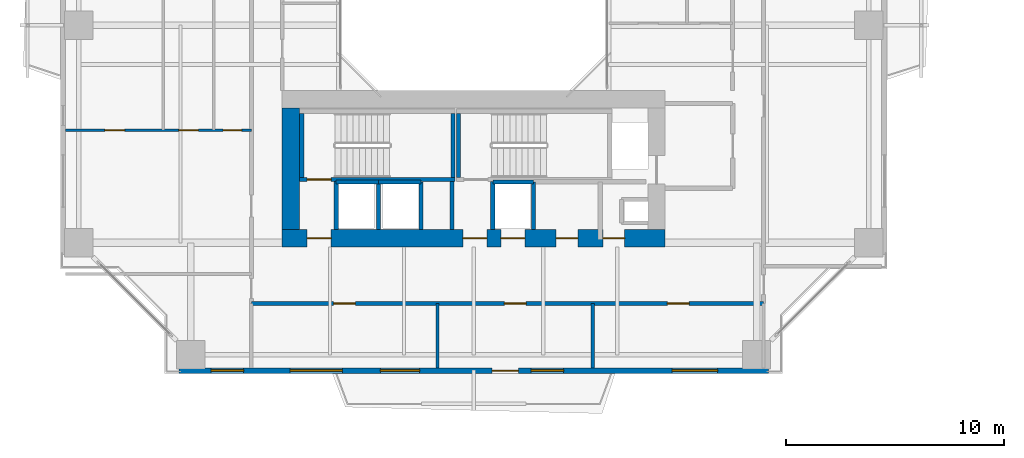
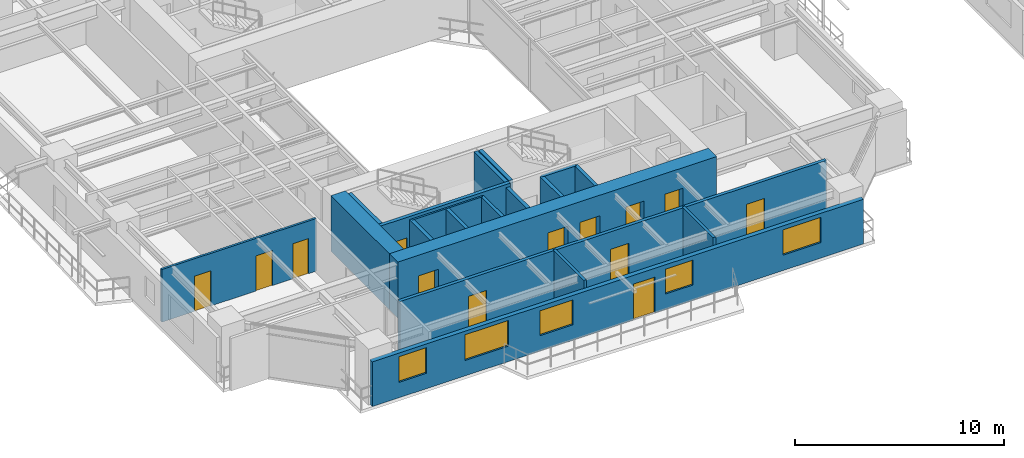
# One storey, part 12 of 23: 20 walls, 13 doors, 5 windows, 18 openings.
"""IFC4 building model written with IfcOpenShell, lengths in metres."""

from ifc_helpers import new_model, si_unit, direction, frame, frame_2d, origin, place, context, subcontext, project, spatial, rectangle, extrude, source, transform, mapped, material, layer, layer_set, type_object, element, fill, save


model = new_model("IFC4")

# Units and contexts
model_context = context("Model", 3, precision=1e-05, world=origin(), true_north=direction((0.0, 1.0)))
body_context = subcontext(model_context, "Body", "Model", "MODEL_VIEW")
ifc_project = project(units=[si_unit("LENGTHUNIT", "METRE"), si_unit("AREAUNIT", "SQUARE_METRE"), si_unit("VOLUMEUNIT", "CUBIC_METRE"), si_unit("PLANEANGLEUNIT", "RADIAN"), si_unit("MASSUNIT", "GRAM", prefix="KILO"), si_unit("THERMODYNAMICTEMPERATUREUNIT", "KELVIN"), si_unit("POWERUNIT", "WATT")], contexts=[model_context])

# Site, building, storey
site_placement = place(None, origin())
site = spatial("IfcSite", under=ifc_project, at=site_placement, CompositionType="ELEMENT")
building_placement = place(site_placement, origin())
building = spatial("IfcBuilding", under=site, at=building_placement, Name="Qiaomeng Ring Towers", CompositionType="ELEMENT")
storey_placement = place(building_placement, frame((0.0, 0.0, 29.5)))
storey = spatial("IfcBuildingStorey", under=building, at=storey_placement, Name="L07", CompositionType="ELEMENT", Elevation=29.5)

# Wall, openings, windows, door
ifc_material_1 = material(Name="Precast concrete C40", Category="concrete")
ifc_layer_1 = layer(ifc_material_1, 0.25, Name="Precast concrete C40")
ifc_layer_set_1 = layer_set([ifc_layer_1], Name="Precast concrete C40")
wall_type_1 = type_object("IfcWallType", Name="ARC-WL-EW1", PredefinedType="STANDARD", material=ifc_layer_set_1)
wall_1_placement = place(storey_placement, frame((5.449951171875, 4.125, 0.0), z_axis=(0.0, 0.0, 1.0), x_axis=(1.0, 0.0, 0.0)))
wall_1 = element("IfcWall", 1, at=wall_1_placement, inside=storey, type_object=wall_type_1, Name="L07 Tower 1 S Exterior Wall", PredefinedType="STANDARD", context=body_context, shape_type="SweptSolid", body=[
    extrude(rectangle(XDim=27.10009765625, YDim=0.25, at=frame_2d((13.550048828125, 0.0))), origin(), (0.0, 0.0, 1.0), 2.610107421875),
])
opening_1_placement = place(wall_1_placement, frame((14.39990234375, 0.0, 0.0)))
opening_1 = element("IfcOpeningElement", 2, at=opening_1_placement, cuts=wall_1, Name="Opening BD1", PredefinedType="OPENING", context=body_context, shape_type="SweptSolid", body=[
    extrude(rectangle(XDim=1.199951171875, YDim=2.10009765625, at=frame_2d((0.60009765625, 1.050048828125))), frame((0.0, 0.135009765625, 0.0), z_axis=(0.0, -1.0, 0.0), x_axis=(1.0, 0.0, 0.0)), (0.0, 0.0, 1.0), 0.27001953125),
])
opening_2_placement = place(wall_1_placement, frame((1.47998046875, 0.0, 0.89990234375)))
opening_2 = element("IfcOpeningElement", 3, at=opening_2_placement, cuts=wall_1, Name="Opening WN2", PredefinedType="OPENING", context=body_context, shape_type="SweptSolid", body=[
    extrude(rectangle(XDim=1.5, YDim=1.5, at=frame_2d((0.75, 0.75))), frame((0.0, 0.135009765625, 0.0), z_axis=(0.0, -1.0, 0.0), x_axis=(1.0, 0.0, 0.0)), (0.0, 0.0, 1.0), 0.27001953125),
])
opening_3_placement = place(wall_1_placement, frame((9.262939453125, 0.0, 0.89990234375)))
opening_3 = element("IfcOpeningElement", 4, at=opening_3_placement, cuts=wall_1, Name="Opening WN1", PredefinedType="OPENING", context=body_context, shape_type="SweptSolid", body=[
    extrude(rectangle(XDim=1.800048828125, YDim=1.449951171875, at=frame_2d((0.89990234375, 0.72509765625))), frame((0.0, 0.135009765625, 0.0), z_axis=(0.0, -1.0, 0.0), x_axis=(1.0, 0.0, 0.0)), (0.0, 0.0, 1.0), 0.27001953125),
])
opening_4_placement = place(wall_1_placement, frame((16.18798828125, 0.0, 0.89990234375)))
opening_4 = element("IfcOpeningElement", 5, at=opening_4_placement, cuts=wall_1, Name="Opening WN2", PredefinedType="OPENING", context=body_context, shape_type="SweptSolid", body=[
    extrude(rectangle(XDim=1.5, YDim=1.449951171875, at=frame_2d((0.75, 0.72509765625))), frame((0.0, 0.135009765625, 0.0), z_axis=(0.0, -1.0, 0.0), x_axis=(1.0, 0.0, 0.0)), (0.0, 0.0, 1.0), 0.27001953125),
])
opening_5_placement = place(wall_1_placement, frame((22.6630859375, 0.0, 0.89990234375)))
opening_5 = element("IfcOpeningElement", 6, at=opening_5_placement, cuts=wall_1, Name="Opening WN4", PredefinedType="OPENING", context=body_context, shape_type="SweptSolid", body=[
    extrude(rectangle(XDim=2.10009765625, YDim=1.47998046875, at=frame_2d((1.050048828125, 0.739990234375))), frame((0.0, 0.135009765625, 0.0), z_axis=(0.0, -1.0, 0.0), x_axis=(1.0, 0.0, 0.0)), (0.0, 0.0, 1.0), 0.27001953125),
])
opening_6_placement = place(wall_1_placement, frame((5.114013671875, 0.0, 0.89990234375)))
opening_6 = element("IfcOpeningElement", 7, at=opening_6_placement, cuts=wall_1, Name="Opening WN6", PredefinedType="OPENING", context=body_context, shape_type="SweptSolid", body=[
    extrude(rectangle(XDim=2.39990234375, YDim=1.5, at=frame_2d((1.199951171875, 0.75))), frame((0.0, 0.135009765625, 0.0), z_axis=(0.0, -1.0, 0.0), x_axis=(1.0, 0.0, 0.0)), (0.0, 0.0, 1.0), 0.27001953125),
])
ifc_material_2 = material(Name="Low-E dark-grey laminated double glazing", Category="glass")
window_type_1 = type_object("IfcWindowType", Name="ARC-WN-2", PartitioningType="DOUBLE_PANEL_VERTICAL", PredefinedType="WINDOW", material=ifc_material_2)
shared_shape_1 = source(origin(), body_context, "Body", "SweptSolid", [
    extrude(rectangle(XDim=1.5, YDim=1.449951171875, at=frame_2d((0.75, 0.72509765625))), frame((0.0, 0.030029296875, 0.0), z_axis=(0.0, -1.0, 0.0), x_axis=(1.0, 0.0, 0.0)), (0.0, 0.0, 1.0), 0.06005859375),
])
window_1_placement = place(opening_4_placement, origin())
window_1 = element("IfcWindow", 8, at=window_1_placement, inside=storey, type_object=window_type_1, Name="L07 Exterior Window WN2", OverallHeight=1.449951171875, OverallWidth=1.5, PartitioningType="DOUBLE_PANEL_VERTICAL", PredefinedType="WINDOW", context=body_context, shape_type="MappedRepresentation", body=[
    mapped(shared_shape_1, transform((0.0, 0.0, 0.0), x_axis=(1.0, 0.0, 0.0), y_axis=(0.0, 1.0, 0.0), z_axis=(0.0, 0.0, 1.0), scale=1.0)),
])
fill(opening_4, window_1)
window_type_2 = type_object("IfcWindowType", Name="ARC-WN-4", PartitioningType="TRIPLE_PANEL_VERTICAL", PredefinedType="WINDOW", material=ifc_material_2)
shared_shape_2 = source(origin(), body_context, "Body", "SweptSolid", [
    extrude(rectangle(XDim=2.10009765625, YDim=1.47998046875, at=frame_2d((1.050048828125, 0.739990234375))), frame((0.0, 0.030029296875, 0.0), z_axis=(0.0, -1.0, 0.0), x_axis=(1.0, 0.0, 0.0)), (0.0, 0.0, 1.0), 0.06005859375),
])
window_2_placement = place(opening_5_placement, origin())
window_2 = element("IfcWindow", 9, at=window_2_placement, inside=storey, type_object=window_type_2, Name="L07 Exterior Window WN4", OverallHeight=1.47998046875, OverallWidth=2.10009765625, PartitioningType="TRIPLE_PANEL_VERTICAL", PredefinedType="WINDOW", context=body_context, shape_type="MappedRepresentation", body=[
    mapped(shared_shape_2, transform((0.0, 0.0, 0.0), x_axis=(1.0, 0.0, 0.0), y_axis=(0.0, 1.0, 0.0), z_axis=(0.0, 0.0, 1.0), scale=1.0)),
])
fill(opening_5, window_2)
window_type_3 = type_object("IfcWindowType", Name="ARC-WN-1", PartitioningType="DOUBLE_PANEL_VERTICAL", PredefinedType="WINDOW", material=ifc_material_2)
shared_shape_3 = source(origin(), body_context, "Body", "SweptSolid", [
    extrude(rectangle(XDim=1.800048828125, YDim=1.449951171875, at=frame_2d((0.89990234375, 0.72509765625))), frame((0.0, 0.030029296875, 0.0), z_axis=(0.0, -1.0, 0.0), x_axis=(1.0, 0.0, 0.0)), (0.0, 0.0, 1.0), 0.06005859375),
])
window_3_placement = place(opening_3_placement, origin())
window_3 = element("IfcWindow", 10, at=window_3_placement, inside=storey, type_object=window_type_3, Name="L07 Exterior Window WN1", OverallHeight=1.449951171875, OverallWidth=1.800048828125, PartitioningType="DOUBLE_PANEL_VERTICAL", PredefinedType="WINDOW", context=body_context, shape_type="MappedRepresentation", body=[
    mapped(shared_shape_3, transform((0.0, 0.0, 0.0), x_axis=(1.0, 0.0, 0.0), y_axis=(0.0, 1.0, 0.0), z_axis=(0.0, 0.0, 1.0), scale=1.0)),
])
fill(opening_3, window_3)
door_type_1 = type_object("IfcDoorType", Name="ARC-DR-BD1", OperationType="NOTDEFINED", PredefinedType="DOOR", material=ifc_material_2)
shared_shape_4 = source(origin(), body_context, "Body", "SweptSolid", [
    extrude(rectangle(XDim=1.199951171875, YDim=2.10009765625, at=frame_2d((0.60009765625, 1.050048828125))), frame((0.0, 0.02490234375, 0.0), z_axis=(0.0, -1.0, 0.0), x_axis=(1.0, 0.0, 0.0)), (0.0, 0.0, 1.0), 0.050048828125),
])
door_1_placement = place(opening_1_placement, frame((1.199951171875, 0.0, 0.0), z_axis=(0.0, 0.0, 1.0), x_axis=(-1.0, 0.0, 0.0)))
door_1 = element("IfcDoor", 11, at=door_1_placement, inside=storey, type_object=door_type_1, Name="L07 S Balcony Glazed Door", OperationType="SINGLE_SWING_LEFT", OverallHeight=2.10009765625, OverallWidth=1.199951171875, PredefinedType="DOOR", context=body_context, shape_type="MappedRepresentation", body=[
    mapped(shared_shape_4, transform((0.0, 0.0, 0.0), x_axis=(1.0, 0.0, 0.0), y_axis=(0.0, 1.0, 0.0), z_axis=(0.0, 0.0, 1.0), scale=1.0)),
])
fill(opening_1, door_1)
shared_shape_5 = source(origin(), body_context, "Body", "SweptSolid", [
    extrude(rectangle(XDim=1.5, YDim=1.5, at=frame_2d((0.75, 0.75))), frame((0.0, 0.030029296875, 0.0), z_axis=(0.0, -1.0, 0.0), x_axis=(1.0, 0.0, 0.0)), (0.0, 0.0, 1.0), 0.06005859375),
])
window_4_placement = place(opening_2_placement, origin())
window_4 = element("IfcWindow", 12, at=window_4_placement, inside=storey, type_object=window_type_1, Name="L07 Exterior Window WN6", OverallHeight=1.5, OverallWidth=1.5, PartitioningType="TRIPLE_PANEL_VERTICAL", PredefinedType="WINDOW", context=body_context, shape_type="MappedRepresentation", body=[
    mapped(shared_shape_5, transform((0.0, 0.0, 0.0), x_axis=(1.0, 0.0, 0.0), y_axis=(0.0, 1.0, 0.0), z_axis=(0.0, 0.0, 1.0), scale=1.0)),
])
fill(opening_2, window_4)
window_type_4 = type_object("IfcWindowType", Name="ARC-WN-6", PartitioningType="TRIPLE_PANEL_VERTICAL", PredefinedType="WINDOW", material=ifc_material_2)
shared_shape_6 = source(origin(), body_context, "Body", "SweptSolid", [
    extrude(rectangle(XDim=2.39990234375, YDim=1.5, at=frame_2d((1.199951171875, 0.75))), frame((0.0, 0.030029296875, 0.0), z_axis=(0.0, -1.0, 0.0), x_axis=(1.0, 0.0, 0.0)), (0.0, 0.0, 1.0), 0.06005859375),
])
window_5_placement = place(opening_6_placement, origin())
window_5 = element("IfcWindow", 13, at=window_5_placement, inside=storey, type_object=window_type_4, Name="L07 Exterior Window WN6", OverallHeight=1.5, OverallWidth=2.39990234375, PartitioningType="TRIPLE_PANEL_VERTICAL", PredefinedType="WINDOW", context=body_context, shape_type="MappedRepresentation", body=[
    mapped(shared_shape_6, transform((0.0, 0.0, 0.0), x_axis=(1.0, 0.0, 0.0), y_axis=(0.0, 1.0, 0.0), z_axis=(0.0, 0.0, 1.0), scale=1.0)),
])
fill(opening_6, window_5)

# Walls
ifc_material_3 = material(Name="Autoclaved aerated concrete block", Category="concrete")
ifc_layer_2 = layer(ifc_material_3, 0.199951171875, Name="Autoclaved aerated concrete block")
ifc_layer_set_2 = layer_set([ifc_layer_2], Name="Autoclaved aerated concrete block")
wall_type_2 = type_object("IfcWallType", Name="ARC-WL-PW1", PredefinedType="PARTITIONING", material=ifc_layer_set_2)
for number, where, z_axis, x_axis, name in (
    (14, (12.679931640625, 10.60009765625, 0.0), (0.0, 0.0, 1.0), (0.0, 1.0, 0.0), "L07 Interior Wall PW1"),
    (15, (18.0, 10.60009765625, 0.0), (0.0, 0.0, 1.0), (0.0, 1.0, 0.0), "L07 Interior Wall PW1"),
    (16, (19.8798828125, 10.60009765625, 0.0), (0.0, 0.0, 1.0), (0.0, 1.0, 0.0), "L07 Interior Wall PW1"),
):
    element("IfcWall", number, at=place(storey_placement, frame(where, z_axis=z_axis, x_axis=x_axis)), inside=storey, type_object=wall_type_2, Name=name, PredefinedType="PARTITIONING", context=body_context, shape_type="SweptSolid", body=[
        extrude(rectangle(XDim=2.2099609375, YDim=0.199951171875, at=frame_2d((1.10498046875, 0.0))), origin(), (0.0, 0.0, 1.0), 3.070068359375),
    ])
wall_2_placement = place(storey_placement, frame((21.75, 10.60009765625, 0.0), z_axis=(0.0, 0.0, 1.0), x_axis=(0.0, 1.0, 0.0)))
element("IfcWall", 17, at=wall_2_placement, inside=storey, type_object=wall_type_2, Name="L07 Interior Wall PW1", PredefinedType="PARTITIONING", context=body_context, shape_type="SweptSolid", body=[
    extrude(rectangle(XDim=2.199951171875, YDim=0.199951171875, at=frame_2d((1.10009765625, 0.0))), origin(), (0.0, 0.0, 1.0), 3.070068359375),
])

# Wall, openings, doors
ifc_layer_3 = layer(ifc_material_3, 0.179931640625, Name="Autoclaved aerated concrete block")
ifc_layer_set_3 = layer_set([ifc_layer_3], Name="Autoclaved aerated concrete block")
wall_type_3 = type_object("IfcWallType", Name="ARC-WL-PW2", PredefinedType="PARTITIONING", material=ifc_layer_set_3)
wall_3_placement = place(storey_placement, frame((8.780029296875, 7.2099609375, 0.0), z_axis=(0.0, 0.0, 1.0), x_axis=(1.0, 0.0, 0.0)))
wall_3 = element("IfcWall", 18, at=wall_3_placement, inside=storey, type_object=wall_type_3, Name="L07 Interior Wall PW2", PredefinedType="PARTITIONING", context=body_context, shape_type="SweptSolid", body=[
    extrude(rectangle(XDim=23.5400390625, YDim=0.179931640625, at=frame_2d((11.77001953125, 0.0))), origin(), (0.0, 0.0, 1.0), 3.070068359375),
])
opening_7_placement = place(wall_3_placement, frame((3.780029296875, 0.0, 0.0)))
opening_7 = element("IfcOpeningElement", 19, at=opening_7_placement, cuts=wall_3, Name="Opening FD4", PredefinedType="OPENING", context=body_context, shape_type="SweptSolid", body=[
    extrude(rectangle(XDim=1.0, YDim=2.050048828125, at=frame_2d((0.5, 1.02490234375))), frame((0.0, 0.099853515625, 0.0), z_axis=(0.0, -1.0, 0.0), x_axis=(1.0, 0.0, 0.0)), (0.0, 0.0, 1.0), 0.199951171875),
])
opening_8_placement = place(wall_3_placement, frame((11.625, 0.0, 0.0)))
opening_8 = element("IfcOpeningElement", 20, at=opening_8_placement, cuts=wall_3, Name="Opening FD4", PredefinedType="OPENING", context=body_context, shape_type="SweptSolid", body=[
    extrude(rectangle(XDim=1.0, YDim=2.050048828125, at=frame_2d((0.5, 1.02490234375))), frame((0.0, 0.099853515625, 0.0), z_axis=(0.0, -1.0, 0.0), x_axis=(1.0, 0.0, 0.0)), (0.0, 0.0, 1.0), 0.199951171875),
])
opening_9_placement = place(wall_3_placement, frame((19.114990234375, 0.0, 0.0)))
opening_9 = element("IfcOpeningElement", 21, at=opening_9_placement, cuts=wall_3, Name="Opening FD4", PredefinedType="OPENING", context=body_context, shape_type="SweptSolid", body=[
    extrude(rectangle(XDim=1.0, YDim=2.050048828125, at=frame_2d((0.5, 1.02490234375))), frame((0.0, 0.099853515625, 0.0), z_axis=(0.0, -1.0, 0.0), x_axis=(1.0, 0.0, 0.0)), (0.0, 0.0, 1.0), 0.199951171875),
])
ifc_material_4 = material(Name="Engineered fire-rated oak timber", Category="wood")
door_type_2 = type_object("IfcDoorType", Name="ARC-DR-FD4", OperationType="NOTDEFINED", PredefinedType="DOOR", material=ifc_material_4)
shared_shape_7 = source(origin(), body_context, "Body", "SweptSolid", [
    extrude(rectangle(XDim=1.0, YDim=2.050048828125, at=frame_2d((0.5, 1.02490234375))), frame((0.0, 0.02490234375, 0.0), z_axis=(0.0, -1.0, 0.0), x_axis=(1.0, 0.0, 0.0)), (0.0, 0.0, 1.0), 0.050048828125),
])
door_2_placement = place(opening_7_placement, origin())
door_2 = element("IfcDoor", 22, at=door_2_placement, inside=storey, type_object=door_type_2, Name="L07 Door FD4", OperationType="SINGLE_SWING_RIGHT", OverallHeight=2.050048828125, OverallWidth=1.0, PredefinedType="DOOR", context=body_context, shape_type="MappedRepresentation", body=[
    mapped(shared_shape_7, transform((0.0, 0.0, 0.0), x_axis=(1.0, 0.0, 0.0), y_axis=(0.0, 1.0, 0.0), z_axis=(0.0, 0.0, 1.0), scale=1.0)),
])
fill(opening_7, door_2)
door_3_placement = place(opening_8_placement, origin())
door_3 = element("IfcDoor", 23, at=door_3_placement, inside=storey, type_object=door_type_2, Name="L07 Door FD4", OperationType="SINGLE_SWING_LEFT", OverallHeight=2.050048828125, OverallWidth=1.0, PredefinedType="DOOR", context=body_context, shape_type="MappedRepresentation", body=[
    mapped(shared_shape_7, transform((0.0, 0.0, 0.0), x_axis=(1.0, 0.0, 0.0), y_axis=(0.0, 1.0, 0.0), z_axis=(0.0, 0.0, 1.0), scale=1.0)),
])
fill(opening_8, door_3)
door_4_placement = place(opening_9_placement, origin())
door_4 = element("IfcDoor", 24, at=door_4_placement, inside=storey, type_object=door_type_2, Name="L07 Door FD4", OperationType="SINGLE_SWING_RIGHT", OverallHeight=2.050048828125, OverallWidth=1.0, PredefinedType="DOOR", context=body_context, shape_type="MappedRepresentation", body=[
    mapped(shared_shape_7, transform((0.0, 0.0, 0.0), x_axis=(1.0, 0.0, 0.0), y_axis=(0.0, 1.0, 0.0), z_axis=(0.0, 0.0, 1.0), scale=1.0)),
])
fill(opening_9, door_4)

# Walls
ifc_material_5 = material(Name="Gypsum fireboard steel-stud partition", Category="steel")
ifc_layer_4 = layer(ifc_material_5, 0.14990234375, Name="Gypsum fireboard steel-stud partition")
ifc_layer_set_4 = layer_set([ifc_layer_4], Name="Gypsum fireboard steel-stud partition")
wall_type_4 = type_object("IfcWallType", Name="ARC-WL-PW3", PredefinedType="PARTITIONING", material=ifc_layer_set_4)
for number, where, z_axis, x_axis, name in (
    (25, (17.340087890625, 4.25, 0.0), (0.0, 0.0, 1.0), (0.0, 1.0, 0.0), "L07 Interior Wall PW3"),
    (26, (24.469970703125, 4.25, 0.0), (0.0, 0.0, 1.0), (0.0, 1.0, 0.0), "L07 Interior Wall PW3"),
):
    element("IfcWall", number, at=place(storey_placement, frame(where, z_axis=z_axis, x_axis=x_axis)), inside=storey, type_object=wall_type_4, Name=name, PredefinedType="PARTITIONING", context=body_context, shape_type="SweptSolid", body=[
        extrude(rectangle(XDim=2.9599609375, YDim=0.14990234375, at=frame_2d((1.47998046875, 0.0))), origin(), (0.0, 0.0, 1.0), 3.070068359375),
    ])

# Wall, openings, doors
ifc_material_6 = material(Name="Moisture-resistant gypsum steel-stud partition", Category="steel")
ifc_layer_5 = layer(ifc_material_6, 0.1201171875, Name="Moisture-resistant gypsum steel-stud partition")
ifc_layer_set_5 = layer_set([ifc_layer_5], Name="Moisture-resistant gypsum steel-stud partition")
wall_type_5 = type_object("IfcWallType", Name="ARC-WL-PW4", PredefinedType="PLUMBINGWALL", material=ifc_layer_set_5)
wall_4_placement = place(storey_placement, frame((0.25, 15.179931640625, 0.0), z_axis=(0.0, 0.0, 1.0), x_axis=(1.0, 0.0, 0.0)))
wall_4 = element("IfcWall", 27, at=wall_4_placement, inside=storey, type_object=wall_type_5, Name="L07 Interior Wall PW4", PredefinedType="PLUMBINGWALL", context=body_context, shape_type="SweptSolid", body=[
    extrude(rectangle(XDim=8.530029296875, YDim=0.1201171875, at=frame_2d((4.26513671875, 0.0))), origin(), (0.0, 0.0, 1.0), 3.070068359375),
])
opening_10_placement = place(wall_4_placement, frame((1.804931640625, 0.0, 0.0)))
opening_10 = element("IfcOpeningElement", 28, at=opening_10_placement, cuts=wall_4, Name="Opening ID1", PredefinedType="OPENING", context=body_context, shape_type="SweptSolid", body=[
    extrude(rectangle(XDim=0.89990234375, YDim=2.050048828125, at=frame_2d((0.449951171875, 1.02490234375))), frame((0.0, 0.070068359375, 0.0), z_axis=(0.0, -1.0, 0.0), x_axis=(1.0, 0.0, 0.0)), (0.0, 0.0, 1.0), 0.14013671875),
])
opening_11_placement = place(wall_4_placement, frame((5.199951171875, 0.0, 0.0)))
opening_11 = element("IfcOpeningElement", 29, at=opening_11_placement, cuts=wall_4, Name="Opening ID1", PredefinedType="OPENING", context=body_context, shape_type="SweptSolid", body=[
    extrude(rectangle(XDim=0.89990234375, YDim=2.050048828125, at=frame_2d((0.449951171875, 1.02490234375))), frame((0.0, 0.070068359375, 0.0), z_axis=(0.0, -1.0, 0.0), x_axis=(1.0, 0.0, 0.0)), (0.0, 0.0, 1.0), 0.14013671875),
])
opening_12_placement = place(wall_4_placement, frame((7.235107421875, 0.0, 0.0)))
opening_12 = element("IfcOpeningElement", 30, at=opening_12_placement, cuts=wall_4, Name="Opening ID2", PredefinedType="OPENING", context=body_context, shape_type="SweptSolid", body=[
    extrude(rectangle(XDim=0.85009765625, YDim=2.050048828125, at=frame_2d((0.425048828125, 1.02490234375))), frame((0.0, 0.070068359375, 0.0), z_axis=(0.0, -1.0, 0.0), x_axis=(1.0, 0.0, 0.0)), (0.0, 0.0, 1.0), 0.14013671875),
])
ifc_material_7 = material(Name="Moisture-resistant engineered timber", Category="wood")
door_type_3 = type_object("IfcDoorType", Name="ARC-DR-ID2", OperationType="NOTDEFINED", PredefinedType="DOOR", material=ifc_material_7)
shared_shape_8 = source(origin(), body_context, "Body", "SweptSolid", [
    extrude(rectangle(XDim=0.85009765625, YDim=2.050048828125, at=frame_2d((0.425048828125, 1.02490234375))), frame((0.0, 0.02490234375, 0.0), z_axis=(0.0, -1.0, 0.0), x_axis=(1.0, 0.0, 0.0)), (0.0, 0.0, 1.0), 0.050048828125),
])
door_5_placement = place(opening_12_placement, origin())
door_5 = element("IfcDoor", 31, at=door_5_placement, inside=storey, type_object=door_type_3, Name="L07 Door ID2", OperationType="SINGLE_SWING_LEFT", OverallHeight=2.050048828125, OverallWidth=0.85009765625, PredefinedType="DOOR", context=body_context, shape_type="MappedRepresentation", body=[
    mapped(shared_shape_8, transform((0.0, 0.0, 0.0), x_axis=(1.0, 0.0, 0.0), y_axis=(0.0, 1.0, 0.0), z_axis=(0.0, 0.0, 1.0), scale=1.0)),
])
fill(opening_12, door_5)
ifc_material_8 = material(Name="Engineered oak timber", Category="wood")
door_type_4 = type_object("IfcDoorType", Name="ARC-DR-ID1", OperationType="NOTDEFINED", PredefinedType="DOOR", material=ifc_material_8)
shared_shape_9 = source(origin(), body_context, "Body", "SweptSolid", [
    extrude(rectangle(XDim=0.89990234375, YDim=2.050048828125, at=frame_2d((0.449951171875, 1.02490234375))), frame((0.0, 0.02490234375, 0.0), z_axis=(0.0, -1.0, 0.0), x_axis=(1.0, 0.0, 0.0)), (0.0, 0.0, 1.0), 0.050048828125),
])
door_6_placement = place(opening_10_placement, origin())
door_6 = element("IfcDoor", 32, at=door_6_placement, inside=storey, type_object=door_type_4, Name="L07 Door ID1", OperationType="SINGLE_SWING_LEFT", OverallHeight=2.050048828125, OverallWidth=0.89990234375, PredefinedType="DOOR", context=body_context, shape_type="MappedRepresentation", body=[
    mapped(shared_shape_9, transform((0.0, 0.0, 0.0), x_axis=(1.0, 0.0, 0.0), y_axis=(0.0, 1.0, 0.0), z_axis=(0.0, 0.0, 1.0), scale=1.0)),
])
fill(opening_10, door_6)
door_7_placement = place(opening_11_placement, origin())
door_7 = element("IfcDoor", 33, at=door_7_placement, inside=storey, type_object=door_type_4, Name="L07 Door ID1", OperationType="SINGLE_SWING_RIGHT", OverallHeight=2.050048828125, OverallWidth=0.89990234375, PredefinedType="DOOR", context=body_context, shape_type="MappedRepresentation", body=[
    mapped(shared_shape_9, transform((0.0, 0.0, 0.0), x_axis=(1.0, 0.0, 0.0), y_axis=(0.0, 1.0, 0.0), z_axis=(0.0, 0.0, 1.0), scale=1.0)),
])
fill(opening_11, door_7)

# Walls
ifc_material_9 = material(Name="Concrete C40", Category="concrete")
ifc_layer_6 = layer(ifc_material_9, 0.199951171875, Name="Concrete C40")
ifc_layer_set_6 = layer_set([ifc_layer_6], Name="Concrete C40")
wall_type_6 = type_object("IfcWallType", Name="STR-WL-STSHAFT", PredefinedType="SHEAR", material=ifc_layer_set_6)
wall_5_placement = place(storey_placement, frame((12.679931640625, 12.800048828125, 0.0), z_axis=(0.0, 0.0, 1.0), x_axis=(1.0, 0.0, 0.0)))
element("IfcWall", 34, at=wall_5_placement, inside=storey, type_object=wall_type_6, Name="L07 Lift LP6 Shaft Back Wall", PredefinedType="SHEAR", context=body_context, shape_type="SweptSolid", body=[
    extrude(rectangle(XDim=1.940185546875, YDim=0.179931640625, at=frame_2d((0.97021484375, 0.0))), origin(), (0.0, 0.0, 1.0), 3.070068359375),
])
wall_6_placement = place(storey_placement, frame((14.6201171875, 10.60009765625, 0.0), z_axis=(0.0, 0.0, 1.0), x_axis=(0.0, 1.0, 0.0)))
element("IfcWall", 35, at=wall_6_placement, inside=storey, type_object=wall_type_6, Name="L07 Lift LP6-LP4 Shaft Divider Wall", PredefinedType="SHEAR", context=body_context, shape_type="SweptSolid", body=[
    extrude(rectangle(XDim=2.199951171875, YDim=0.179931640625, at=frame_2d((1.10009765625, 0.0))), origin(), (0.0, 0.0, 1.0), 3.070068359375),
])
wall_7_placement = place(storey_placement, frame((14.6201171875, 12.800048828125, 0.0), z_axis=(0.0, 0.0, 1.0), x_axis=(1.0, 0.0, 0.0)))
element("IfcWall", 36, at=wall_7_placement, inside=storey, type_object=wall_type_6, Name="L07 Lift LP4 Shaft Back Wall", PredefinedType="SHEAR", context=body_context, shape_type="SweptSolid", body=[
    extrude(rectangle(XDim=1.9599609375, YDim=0.179931640625, at=frame_2d((0.97998046875, 0.0))), origin(), (0.0, 0.0, 1.0), 3.070068359375),
])
wall_8_placement = place(storey_placement, frame((16.580078125, 10.60009765625, 0.0), z_axis=(0.0, 0.0, 1.0), x_axis=(0.0, 1.0, 0.0)))
element("IfcWall", 37, at=wall_8_placement, inside=storey, type_object=wall_type_6, Name="L07 Lift LP4 East Shaft Wall", PredefinedType="SHEAR", context=body_context, shape_type="SweptSolid", body=[
    extrude(rectangle(XDim=2.199951171875, YDim=0.179931640625, at=frame_2d((1.10009765625, 0.0))), origin(), (0.0, 0.0, 1.0), 3.070068359375),
])
wall_9_placement = place(storey_placement, frame((19.8798828125, 12.800048828125, 0.0), z_axis=(0.0, 0.0, 1.0), x_axis=(1.0, 0.0, 0.0)))
element("IfcWall", 38, at=wall_9_placement, inside=storey, type_object=wall_type_6, Name="L07 Lift LP2 Shaft Back Wall", PredefinedType="SHEAR", context=body_context, shape_type="SweptSolid", body=[
    extrude(rectangle(XDim=1.8701171875, YDim=0.179931640625, at=frame_2d((0.93505859375, 0.0))), origin(), (0.0, 0.0, 1.0), 3.070068359375),
])

# Wall, opening, door
wall_10_placement = place(storey_placement, frame((11.0, 12.909912109375, 0.0), z_axis=(0.0, 0.0, 1.0), x_axis=(1.0, 0.0, 0.0)))
wall_10 = element("IfcWall", 39, at=wall_10_placement, inside=storey, type_object=wall_type_6, Name="L07 Stair ST3 South Shaft Shear Wall", PredefinedType="SHEAR", context=body_context, shape_type="SweptSolid", body=[
    extrude(rectangle(XDim=7.14990234375, YDim=0.199951171875, at=frame_2d((3.574951171875, 0.0))), origin(), (0.0, 0.0, 1.0), 3.25),
])
opening_13_placement = place(wall_10_placement, frame((0.35009765625, 0.0, 0.0)))
opening_13 = element("IfcOpeningElement", 40, at=opening_13_placement, cuts=wall_10, Name="Opening FD3", PredefinedType="OPENING", context=body_context, shape_type="SweptSolid", body=[
    extrude(rectangle(XDim=1.10009765625, YDim=2.050048828125, at=frame_2d((0.550048828125, 1.02490234375))), frame((0.0, 0.10986328125, 0.0), z_axis=(0.0, -1.0, 0.0), x_axis=(1.0, 0.0, 0.0)), (0.0, 0.0, 1.0), 0.219970703125),
])
ifc_material_10 = material(Name="Galvanised steel", Category="steel")
door_type_5 = type_object("IfcDoorType", Name="ARC-DR-FD3", OperationType="NOTDEFINED", PredefinedType="DOOR", material=ifc_material_10)
shared_shape_10 = source(origin(), body_context, "Body", "SweptSolid", [
    extrude(rectangle(XDim=1.10009765625, YDim=2.050048828125, at=frame_2d((0.550048828125, 1.02490234375))), frame((0.0, 0.02490234375, 0.0), z_axis=(0.0, -1.0, 0.0), x_axis=(1.0, 0.0, 0.0)), (0.0, 0.0, 1.0), 0.050048828125),
])
door_8_placement = place(opening_13_placement, frame((1.10009765625, 0.0, 0.0), z_axis=(0.0, 0.0, 1.0), x_axis=(-1.0, 0.0, 0.0)))
door_8 = element("IfcDoor", 41, at=door_8_placement, inside=storey, type_object=door_type_5, Name="L07 Stair ST3 Exit Door", OperationType="SINGLE_SWING_RIGHT", OverallHeight=2.050048828125, OverallWidth=1.10009765625, PredefinedType="DOOR", context=body_context, shape_type="MappedRepresentation", body=[
    mapped(shared_shape_10, transform((0.0, 0.0, 0.0), x_axis=(1.0, 0.0, 0.0), y_axis=(0.0, 1.0, 0.0), z_axis=(0.0, 0.0, 1.0), scale=1.0)),
])
fill(opening_13, door_8)

# Walls
for number, where, z_axis, x_axis, name in (
    (42, (11.10009765625, 13.010009765625, 0.0), (0.0, 0.0, 1.0), (0.0, 1.0, 0.0), "L07 Stair ST3 West Shaft Shear Wall"),
    (43, (18.050048828125, 13.010009765625, 0.0), (0.0, 0.0, 1.0), (0.0, 1.0, 0.0), "L07 Stair ST3 East Shaft Shear Wall"),
    (44, (18.300048828125, 13.010009765625, 0.0), (0.0, 0.0, 1.0), (0.0, 1.0, 0.0), "L07 Stair ST4 West Shaft Shear Wall"),
):
    element("IfcWall", number, at=place(storey_placement, frame(where, z_axis=z_axis, x_axis=x_axis)), inside=storey, type_object=wall_type_6, Name=name, PredefinedType="SHEAR", context=body_context, shape_type="SweptSolid", body=[
        extrude(rectangle(XDim=2.93994140625, YDim=0.199951171875, at=frame_2d((1.469970703125, 0.0))), origin(), (0.0, 0.0, 1.0), 3.25),
    ])

# Wall, openings, doors
ifc_material_11 = material(Name="Concrete C60", Category="concrete")
ifc_layer_7 = layer(ifc_material_11, 0.800048828125, Name="Concrete C60")
ifc_layer_set_7 = layer_set([ifc_layer_7], Name="Concrete C60")
wall_type_7 = type_object("IfcWallType", Name="STR-WL-SW1", PredefinedType="SHEAR", material=ifc_layer_set_7)
wall_11_placement = place(storey_placement, frame((10.199951171875, 10.199951171875, 0.0), z_axis=(0.0, 0.0, 1.0), x_axis=(1.0, 0.0, 0.0)))
wall_11 = element("IfcWall", 45, at=wall_11_placement, inside=storey, type_object=wall_type_7, Name="L07 T1SC south core shear wall", PredefinedType="SHEAR", context=body_context, shape_type="SweptSolid", body=[
    extrude(rectangle(XDim=17.60009765625, YDim=0.800048828125, at=frame_2d((8.800048828125, 0.0))), origin(), (0.0, 0.0, 1.0), 3.25),
])
opening_14_placement = place(wall_11_placement, frame((1.14990234375, 0.0, 0.0)))
opening_14 = element("IfcOpeningElement", 46, at=opening_14_placement, cuts=wall_11, Name="Opening FD3", PredefinedType="OPENING", context=body_context, shape_type="SweptSolid", body=[
    extrude(rectangle(XDim=1.10009765625, YDim=2.050048828125, at=frame_2d((0.550048828125, 1.02490234375))), frame((0.0, 0.409912109375, 0.0), z_axis=(0.0, -1.0, 0.0), x_axis=(1.0, 0.0, 0.0)), (0.0, 0.0, 1.0), 0.820068359375),
])
opening_15_placement = place(wall_11_placement, frame((8.300048828125, 0.0, 0.0)))
opening_15 = element("IfcOpeningElement", 47, at=opening_15_placement, cuts=wall_11, Name="Opening FD3", PredefinedType="OPENING", context=body_context, shape_type="SweptSolid", body=[
    extrude(rectangle(XDim=1.10009765625, YDim=2.050048828125, at=frame_2d((0.550048828125, 1.02490234375))), frame((0.0, 0.409912109375, 0.0), z_axis=(0.0, -1.0, 0.0), x_axis=(1.0, 0.0, 0.0)), (0.0, 0.0, 1.0), 0.820068359375),
])
opening_16_placement = place(wall_11_placement, frame((10.050048828125, 0.0, 0.0)))
opening_16 = element("IfcOpeningElement", 48, at=opening_16_placement, cuts=wall_11, Name="Opening LD1", PredefinedType="OPENING", context=body_context, shape_type="SweptSolid", body=[
    extrude(rectangle(XDim=1.10009765625, YDim=2.050048828125, at=frame_2d((0.550048828125, 1.02490234375))), frame((0.0, 0.409912109375, 0.0), z_axis=(0.0, -1.0, 0.0), x_axis=(1.0, 0.0, 0.0)), (0.0, 0.0, 1.0), 0.820068359375),
])
opening_17_placement = place(wall_11_placement, frame((14.739990234375, 0.0, 0.0)))
opening_17 = element("IfcOpeningElement", 49, at=opening_17_placement, cuts=wall_11, Name="Opening FD1", PredefinedType="OPENING", context=body_context, shape_type="SweptSolid", body=[
    extrude(rectangle(XDim=1.0, YDim=2.050048828125, at=frame_2d((0.5, 1.02490234375))), frame((0.0, 0.409912109375, 0.0), z_axis=(0.0, -1.0, 0.0), x_axis=(1.0, 0.0, 0.0)), (0.0, 0.0, 1.0), 0.820068359375),
])
opening_18_placement = place(wall_11_placement, frame((12.5849609375, 0.0, 0.0)))
opening_18 = element("IfcOpeningElement", 50, at=opening_18_placement, cuts=wall_11, Name="Opening FD1", PredefinedType="OPENING", context=body_context, shape_type="SweptSolid", body=[
    extrude(rectangle(XDim=1.0, YDim=2.050048828125, at=frame_2d((0.5, 1.02490234375))), frame((0.0, 0.409912109375, 0.0), z_axis=(0.0, -1.0, 0.0), x_axis=(1.0, 0.0, 0.0)), (0.0, 0.0, 1.0), 0.820068359375),
])
door_9_placement = place(opening_14_placement, origin())
door_9 = element("IfcDoor", 51, at=door_9_placement, inside=storey, type_object=door_type_5, Name="L07 Stair ST3 Lobby Door", OperationType="SINGLE_SWING_LEFT", OverallHeight=2.050048828125, OverallWidth=1.10009765625, PredefinedType="DOOR", context=body_context, shape_type="MappedRepresentation", body=[
    mapped(shared_shape_10, transform((0.0, 0.0, 0.0), x_axis=(1.0, 0.0, 0.0), y_axis=(0.0, 1.0, 0.0), z_axis=(0.0, 0.0, 1.0), scale=1.0)),
])
fill(opening_14, door_9)
door_10_placement = place(opening_15_placement, origin())
door_10 = element("IfcDoor", 52, at=door_10_placement, inside=storey, type_object=door_type_5, Name="L07 Stair ST4 Lobby Door", OperationType="SINGLE_SWING_LEFT", OverallHeight=2.050048828125, OverallWidth=1.10009765625, PredefinedType="DOOR", context=body_context, shape_type="MappedRepresentation", body=[
    mapped(shared_shape_10, transform((0.0, 0.0, 0.0), x_axis=(1.0, 0.0, 0.0), y_axis=(0.0, 1.0, 0.0), z_axis=(0.0, 0.0, 1.0), scale=1.0)),
])
fill(opening_15, door_10)
ifc_material_12 = material(Name="Stainless steel 316", Category="steel")
door_type_6 = type_object("IfcDoorType", Name="ARC-DR-LD1", OperationType="NOTDEFINED", PredefinedType="DOOR", material=ifc_material_12)
door_11_placement = place(opening_16_placement, origin())
door_11 = element("IfcDoor", 53, at=door_11_placement, inside=storey, type_object=door_type_6, Name="L07 Low-Zone Lift LP2 Landing Door", OperationType="SLIDING_TO_RIGHT", OverallHeight=2.050048828125, OverallWidth=1.10009765625, PredefinedType="DOOR", context=body_context, shape_type="MappedRepresentation", body=[
    mapped(shared_shape_10, transform((0.0, 0.0, 0.0), x_axis=(1.0, 0.0, 0.0), y_axis=(0.0, 1.0, 0.0), z_axis=(0.0, 0.0, 1.0), scale=1.0)),
])
fill(opening_16, door_11)
door_type_7 = type_object("IfcDoorType", Name="ARC-DR-FD1", OperationType="NOTDEFINED", PredefinedType="DOOR", material=ifc_material_10)
door_12_placement = place(opening_17_placement, origin())
door_12 = element("IfcDoor", 54, at=door_12_placement, inside=storey, type_object=door_type_7, Name="L07 South Electrical Riser Door", OperationType="SINGLE_SWING_RIGHT", OverallHeight=2.050048828125, OverallWidth=1.0, PredefinedType="DOOR", context=body_context, shape_type="MappedRepresentation", body=[
    mapped(shared_shape_7, transform((0.0, 0.0, 0.0), x_axis=(1.0, 0.0, 0.0), y_axis=(0.0, 1.0, 0.0), z_axis=(0.0, 0.0, 1.0), scale=1.0)),
])
fill(opening_17, door_12)
door_13_placement = place(opening_18_placement, origin())
door_13 = element("IfcDoor", 55, at=door_13_placement, inside=storey, type_object=door_type_7, Name="L07 South Building Management Office Door", OperationType="SINGLE_SWING_LEFT", OverallHeight=2.050048828125, OverallWidth=1.0, PredefinedType="DOOR", context=body_context, shape_type="MappedRepresentation", body=[
    mapped(shared_shape_7, transform((0.0, 0.0, 0.0), x_axis=(1.0, 0.0, 0.0), y_axis=(0.0, 1.0, 0.0), z_axis=(0.0, 0.0, 1.0), scale=1.0)),
])
fill(opening_18, door_13)

# Wall
wall_12_placement = place(storey_placement, frame((10.60009765625, 10.60009765625, 0.0), z_axis=(0.0, 0.0, 1.0), x_axis=(0.0, 1.0, 0.0)))
element("IfcWall", 56, at=wall_12_placement, inside=storey, type_object=wall_type_7, Name="L07 T1SC west core shear wall", PredefinedType="SHEAR", context=body_context, shape_type="SweptSolid", body=[
    extrude(rectangle(XDim=5.599853515625, YDim=0.800048828125, at=frame_2d((2.7998046875, 0.0))), origin(), (0.0, 0.0, 1.0), 3.25),
])

save(model, "model.ifc")
